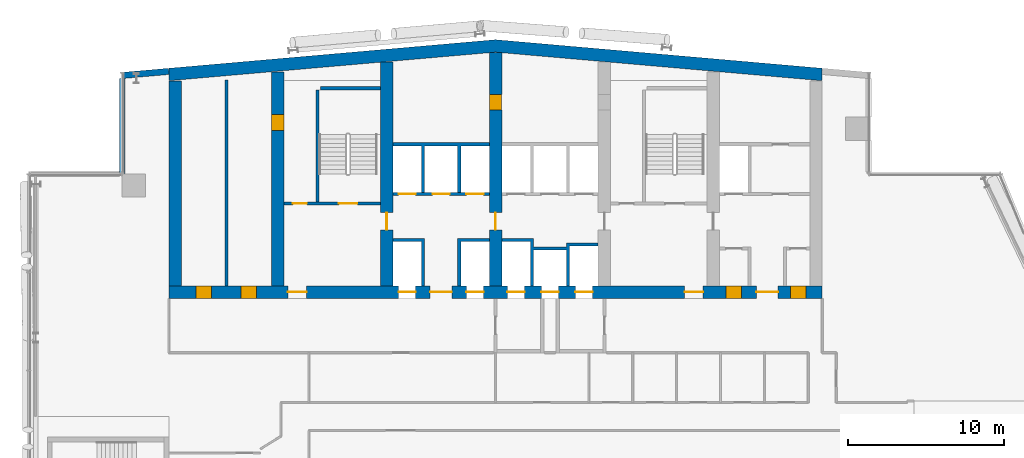
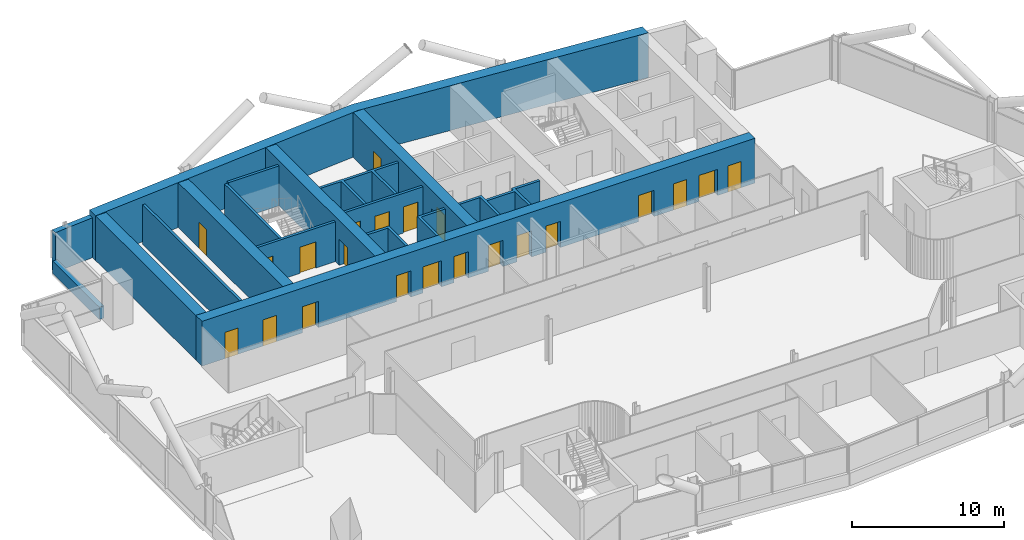
# One storey, part 20 of 29: 22 doors, 17 walls, 22 openings.
"""IFC4 building model written with IfcOpenShell, lengths in metres."""

from ifc_helpers import new_model, si_unit, direction, frame, frame_2d, origin, place, context, subcontext, project, spatial, polyline, rectangle, outline, extrude, material, layer, layer_set, type_object, element, fill, save


model = new_model("IFC4")

# Units and contexts
model_context = context("Model", 3, precision=1e-05, world=origin(), true_north=direction((0.0, 1.0)))
body_context = subcontext(model_context, "Body", "Model", "MODEL_VIEW")
ifc_project = project(units=[si_unit("LENGTHUNIT", "METRE"), si_unit("AREAUNIT", "SQUARE_METRE"), si_unit("VOLUMEUNIT", "CUBIC_METRE"), si_unit("PLANEANGLEUNIT", "RADIAN"), si_unit("MASSUNIT", "GRAM", prefix="KILO")], contexts=[model_context])

# Site, building, storey
site_placement = place(None, origin())
site = spatial("IfcSite", under=ifc_project, at=site_placement, CompositionType="ELEMENT")
building_placement = place(site_placement, origin())
building = spatial("IfcBuilding", under=site, at=building_placement, Name="Wharfspan Tower", CompositionType="ELEMENT")
storey_placement = place(building_placement, frame((0.0, 0.0, 155.5)))
storey = spatial("IfcBuildingStorey", under=building, at=storey_placement, Name="L37", CompositionType="ELEMENT", Elevation=155.5)

# Walls
ifc_material_1 = material(Name="Calcium silicate masonry", Category="masonry")
ifc_layer_1 = layer(ifc_material_1, 0.199951)
ifc_layer_set_1 = layer_set([ifc_layer_1], Name="Calcium silicate masonry")
wall_type_1 = type_object("IfcWallType", Name="Core room wall 200", PredefinedType="PARTITIONING", material=ifc_layer_set_1)
wall_1_placement = place(storey_placement, frame((19.699951, 34.800049, 0.0), z_axis=(0.0, 0.0, 1.0), x_axis=(0.0, 1.0, 0.0)))
element("IfcWall", 1, at=wall_1_placement, inside=storey, type_object=wall_type_1, Name="sw:L37:RM1", PredefinedType="PARTITIONING", context=body_context, shape_type="SweptSolid", body=[
    extrude(rectangle(XDim=13.234131, YDim=0.199951, at=frame_2d((6.617188, 0.0))), origin(), (0.0, 0.0, 1.0), 3.199951),
])
ifc_material_2 = material(Name="Concrete C60/75", Category="concrete")
ifc_layer_2 = layer(ifc_material_2, 0.800049)
ifc_layer_set_2 = layer_set([ifc_layer_2], Name="Concrete C60/75")
wall_type_2 = type_object("IfcWallType", Name="Core wall 800 C60/75", PredefinedType="SHEAR", material=ifc_layer_set_2)
wall_2_placement = place(storey_placement, origin())
element("IfcWall", 2, at=wall_2_placement, inside=storey, type_object=wall_type_2, Name="Core rear wall L37", PredefinedType="SHEAR", context=body_context, shape_type="SweptSolid", body=[
    extrude(outline(polyline([(16.0, 47.984375), (37.0, 49.821533), (58.0, 47.984375), (58.0, 48.787354), (37.0, 50.624756), (16.0, 48.787354), (16.0, 47.984375)])), origin(), (0.0, 0.0, 1.0), 3.600098),
])

# Wall, openings, doors
wall_3_placement = place(storey_placement, frame((16.0, 34.399902, 0.0), z_axis=(0.0, 0.0, 1.0), x_axis=(1.0, 0.0, 0.0)))
wall_3 = element("IfcWall", 3, at=wall_3_placement, inside=storey, type_object=wall_type_2, Name="Core front wall L37", PredefinedType="SHEAR", context=body_context, shape_type="SweptSolid", body=[
    extrude(rectangle(XDim=42.0, YDim=0.800049, at=frame_2d((21.0, 0.0))), origin(), (0.0, 0.0, 1.0), 3.600098),
])
opening_1_placement = place(wall_3_placement, frame((1.75, 0.0, 0.0)))
opening_1 = element("IfcOpeningElement", 4, at=opening_1_placement, cuts=wall_3, Name="Opening CD37.11", PredefinedType="OPENING", context=body_context, shape_type="SweptSolid", body=[
    extrude(rectangle(XDim=1.0, YDim=2.100098, at=frame_2d((0.5, 1.050049))), frame((0.0, 0.409912, 0.0), z_axis=(0.0, -1.0, 0.0), x_axis=(1.0, 0.0, 0.0)), (0.0, 0.0, 1.0), 0.820068),
])
opening_2_placement = place(wall_3_placement, frame((4.649902, 0.0, 0.0)))
opening_2 = element("IfcOpeningElement", 5, at=opening_2_placement, cuts=wall_3, Name="Opening CD37.12", PredefinedType="OPENING", context=body_context, shape_type="SweptSolid", body=[
    extrude(rectangle(XDim=1.0, YDim=2.100098, at=frame_2d((0.5, 1.050049))), frame((0.0, 0.409912, 0.0), z_axis=(0.0, -1.0, 0.0), x_axis=(1.0, 0.0, 0.0)), (0.0, 0.0, 1.0), 0.820068),
])
opening_3_placement = place(wall_3_placement, frame((7.649902, 0.0, 0.0)))
opening_3 = element("IfcOpeningElement", 6, at=opening_3_placement, cuts=wall_3, Name="Opening SV2.L37", PredefinedType="OPENING", context=body_context, shape_type="SweptSolid", body=[
    extrude(rectangle(XDim=1.199951, YDim=2.100098, at=frame_2d((0.600098, 1.050049))), frame((0.0, 0.409912, 0.0), z_axis=(0.0, -1.0, 0.0), x_axis=(1.0, 0.0, 0.0)), (0.0, 0.0, 1.0), 0.820068),
])
opening_4_placement = place(wall_3_placement, frame((14.766602, 0.0, 0.0)))
opening_4 = element("IfcOpeningElement", 7, at=opening_4_placement, cuts=wall_3, Name="Opening LD.SL1.L37", PredefinedType="OPENING", context=body_context, shape_type="SweptSolid", body=[
    extrude(rectangle(XDim=1.100098, YDim=2.100098, at=frame_2d((0.550049, 1.050049))), frame((0.0, 0.409912, 0.0), z_axis=(0.0, -1.0, 0.0), x_axis=(1.0, 0.0, 0.0)), (0.0, 0.0, 1.0), 0.820068),
])
opening_5_placement = place(wall_3_placement, frame((19.133301, 0.0, 0.0)))
opening_5 = element("IfcOpeningElement", 8, at=opening_5_placement, cuts=wall_3, Name="Opening LD.SL2.L37", PredefinedType="OPENING", context=body_context, shape_type="SweptSolid", body=[
    extrude(rectangle(XDim=1.100098, YDim=2.100098, at=frame_2d((0.550049, 1.050049))), frame((0.0, 0.409912, 0.0), z_axis=(0.0, -1.0, 0.0), x_axis=(1.0, 0.0, 0.0)), (0.0, 0.0, 1.0), 0.820068),
])
opening_6_placement = place(wall_3_placement, frame((16.800049, 0.0, 0.0)))
opening_6 = element("IfcOpeningElement", 9, at=opening_6_placement, cuts=wall_3, Name="Opening HD37.3", PredefinedType="OPENING", context=body_context, shape_type="SweptSolid", body=[
    extrude(rectangle(XDim=1.399902, YDim=2.100098, at=frame_2d((0.699951, 1.050049))), frame((0.0, 0.409912, 0.0), z_axis=(0.0, -1.0, 0.0), x_axis=(1.0, 0.0, 0.0)), (0.0, 0.0, 1.0), 0.820068),
])
opening_7_placement = place(wall_3_placement, frame((21.766602, 0.0, 0.0)))
opening_7 = element("IfcOpeningElement", 10, at=opening_7_placement, cuts=wall_3, Name="Opening LD.FF1.L37", PredefinedType="OPENING", context=body_context, shape_type="SweptSolid", body=[
    extrude(rectangle(XDim=1.100098, YDim=2.100098, at=frame_2d((0.550049, 1.050049))), frame((0.0, 0.409912, 0.0), z_axis=(0.0, -1.0, 0.0), x_axis=(1.0, 0.0, 0.0)), (0.0, 0.0, 1.0), 0.820068),
])
opening_8_placement = place(wall_3_placement, frame((23.949951, 0.0, 0.0)))
opening_8 = element("IfcOpeningElement", 11, at=opening_8_placement, cuts=wall_3, Name="Opening LD.LB7.L37", PredefinedType="OPENING", context=body_context, shape_type="SweptSolid", body=[
    extrude(rectangle(XDim=1.100098, YDim=2.100098, at=frame_2d((0.550049, 1.050049))), frame((0.0, 0.409912, 0.0), z_axis=(0.0, -1.0, 0.0), x_axis=(1.0, 0.0, 0.0)), (0.0, 0.0, 1.0), 0.820068),
])
opening_9_placement = place(wall_3_placement, frame((26.133301, 0.0, 0.0)))
opening_9 = element("IfcOpeningElement", 12, at=opening_9_placement, cuts=wall_3, Name="Opening LD.FF2.L37", PredefinedType="OPENING", context=body_context, shape_type="SweptSolid", body=[
    extrude(rectangle(XDim=1.100098, YDim=2.100098, at=frame_2d((0.550049, 1.050049))), frame((0.0, 0.409912, 0.0), z_axis=(0.0, -1.0, 0.0), x_axis=(1.0, 0.0, 0.0)), (0.0, 0.0, 1.0), 0.820068),
])
opening_10_placement = place(wall_3_placement, frame((33.149902, 0.0, 0.0)))
opening_10 = element("IfcOpeningElement", 13, at=opening_10_placement, cuts=wall_3, Name="Opening SV5.L37", PredefinedType="OPENING", context=body_context, shape_type="SweptSolid", body=[
    extrude(rectangle(XDim=1.199951, YDim=2.100098, at=frame_2d((0.600098, 1.050049))), frame((0.0, 0.409912, 0.0), z_axis=(0.0, -1.0, 0.0), x_axis=(1.0, 0.0, 0.0)), (0.0, 0.0, 1.0), 0.820068),
])
opening_11_placement = place(wall_3_placement, frame((35.81665, 0.0, 0.0)))
opening_11 = element("IfcOpeningElement", 14, at=opening_11_placement, cuts=wall_3, Name="Opening CD37.6F1", PredefinedType="OPENING", context=body_context, shape_type="SweptSolid", body=[
    extrude(rectangle(XDim=1.0, YDim=2.100098, at=frame_2d((0.5, 1.050049))), frame((0.0, 0.409912, 0.0), z_axis=(0.0, -1.0, 0.0), x_axis=(1.0, 0.0, 0.0)), (0.0, 0.0, 1.0), 0.820068),
])
opening_12_placement = place(wall_3_placement, frame((39.949951, 0.0, 0.0)))
opening_12 = element("IfcOpeningElement", 15, at=opening_12_placement, cuts=wall_3, Name="Opening CD37.6F3", PredefinedType="OPENING", context=body_context, shape_type="SweptSolid", body=[
    extrude(rectangle(XDim=1.0, YDim=2.100098, at=frame_2d((0.5, 1.050049))), frame((0.0, 0.409912, 0.0), z_axis=(0.0, -1.0, 0.0), x_axis=(1.0, 0.0, 0.0)), (0.0, 0.0, 1.0), 0.820068),
])
opening_13_placement = place(wall_3_placement, frame((37.766602, 0.0, 0.0)))
opening_13 = element("IfcOpeningElement", 16, at=opening_13_placement, cuts=wall_3, Name="Opening HD37.6", PredefinedType="OPENING", context=body_context, shape_type="SweptSolid", body=[
    extrude(rectangle(XDim=1.399902, YDim=2.100098, at=frame_2d((0.699951, 1.050049))), frame((0.0, 0.409912, 0.0), z_axis=(0.0, -1.0, 0.0), x_axis=(1.0, 0.0, 0.0)), (0.0, 0.0, 1.0), 0.820068),
])
ifc_material_3 = material(Name="Steel door leaf", Category="steel")
door_type_1 = type_object("IfcDoorType", Name="Core room door 1000x2100", OperationType="SINGLE_SWING_LEFT", PredefinedType="DOOR", material=ifc_material_3)
door_1_placement = place(opening_1_placement, origin())
door_1 = element("IfcDoor", 17, at=door_1_placement, inside=storey, type_object=door_type_1, Name="d:L37:1:rf", OperationType="SINGLE_SWING_LEFT", OverallHeight=2.100098, OverallWidth=1.0, PredefinedType="DOOR", context=body_context, shape_type="SweptSolid", body=[
    extrude(rectangle(XDim=1.0, YDim=2.100098, at=frame_2d((0.5, 1.050049))), frame((0.0, 0.399902, 0.0), z_axis=(0.0, -1.0, 0.0), x_axis=(1.0, 0.0, 0.0)), (0.0, 0.0, 1.0), 0.799561),
])
fill(opening_1, door_1)
door_2_placement = place(opening_2_placement, origin())
door_2 = element("IfcDoor", 18, at=door_2_placement, inside=storey, type_object=door_type_1, Name="d:L37:1:rr", OperationType="SINGLE_SWING_RIGHT", OverallHeight=2.100098, OverallWidth=1.0, PredefinedType="DOOR", context=body_context, shape_type="SweptSolid", body=[
    extrude(rectangle(XDim=1.0, YDim=2.100098, at=frame_2d((0.5, 1.050049))), frame((0.0, 0.399902, 0.0), z_axis=(0.0, -1.0, 0.0), x_axis=(1.0, 0.0, 0.0)), (0.0, 0.0, 1.0), 0.799561),
])
fill(opening_2, door_2)
door_3_placement = place(opening_11_placement, origin())
door_3 = element("IfcDoor", 19, at=door_3_placement, inside=storey, type_object=door_type_1, Name="d:L37:6:fd6.1", OperationType="SINGLE_SWING_LEFT", OverallHeight=2.100098, OverallWidth=1.0, PredefinedType="DOOR", context=body_context, shape_type="SweptSolid", body=[
    extrude(rectangle(XDim=1.0, YDim=2.100098, at=frame_2d((0.5, 1.050049))), frame((0.0, 0.399902, 0.0), z_axis=(0.0, -1.0, 0.0), x_axis=(1.0, 0.0, 0.0)), (0.0, 0.0, 1.0), 0.799561),
])
fill(opening_11, door_3)
door_4_placement = place(opening_12_placement, origin())
door_4 = element("IfcDoor", 20, at=door_4_placement, inside=storey, type_object=door_type_1, Name="d:L37:6:fd6.3", OperationType="SINGLE_SWING_LEFT", OverallHeight=2.100098, OverallWidth=1.0, PredefinedType="DOOR", context=body_context, shape_type="SweptSolid", body=[
    extrude(rectangle(XDim=1.0, YDim=2.100098, at=frame_2d((0.5, 1.050049))), frame((0.0, 0.399902, 0.0), z_axis=(0.0, -1.0, 0.0), x_axis=(1.0, 0.0, 0.0)), (0.0, 0.0, 1.0), 0.799561),
])
fill(opening_12, door_4)
door_type_2 = type_object("IfcDoorType", Name="Hall entry door 1400x2100", OperationType="DOUBLE_DOOR_SINGLE_SWING", PredefinedType="DOOR", material=ifc_material_3)
door_5_placement = place(opening_6_placement, origin())
door_5 = element("IfcDoor", 21, at=door_5_placement, inside=storey, type_object=door_type_2, Name="d:L37:3:hd3", OperationType="DOUBLE_DOOR_SINGLE_SWING", OverallHeight=2.100098, OverallWidth=1.399902, PredefinedType="DOOR", context=body_context, shape_type="SweptSolid", body=[
    extrude(rectangle(XDim=1.399902, YDim=2.100098, at=frame_2d((0.699951, 1.050049))), frame((0.0, 0.024902, 0.0), z_axis=(0.0, -1.0, 0.0), x_axis=(1.0, 0.0, 0.0)), (0.0, 0.0, 1.0), 0.050049),
])
fill(opening_6, door_5)
door_6_placement = place(opening_13_placement, origin())
door_6 = element("IfcDoor", 22, at=door_6_placement, inside=storey, type_object=door_type_2, Name="d:L37:6:hd6", OperationType="DOUBLE_DOOR_SINGLE_SWING", OverallHeight=2.100098, OverallWidth=1.399902, PredefinedType="DOOR", context=body_context, shape_type="SweptSolid", body=[
    extrude(rectangle(XDim=1.399902, YDim=2.100098, at=frame_2d((0.699951, 1.050049))), frame((0.0, 0.024902, 0.0), z_axis=(0.0, -1.0, 0.0), x_axis=(1.0, 0.0, 0.0)), (0.0, 0.0, 1.0), 0.050049),
])
fill(opening_13, door_6)
ifc_material_4 = material(Name="Stainless steel", Category="steel")
door_type_3 = type_object("IfcDoorType", Name="Lift landing door 1100x2100", OperationType="DOUBLE_DOOR_SLIDING", PredefinedType="DOOR", material=ifc_material_4)
door_7_placement = place(opening_4_placement, origin())
door_7 = element("IfcDoor", 23, at=door_7_placement, inside=storey, type_object=door_type_3, Name="Landing door SL1 L37", OperationType="DOUBLE_DOOR_SLIDING", OverallHeight=2.100098, OverallWidth=1.100098, PredefinedType="DOOR", context=body_context, shape_type="SweptSolid", body=[
    extrude(rectangle(XDim=1.100098, YDim=2.100098, at=frame_2d((0.550049, 1.050049))), frame((0.0, 0.024902, 0.0), z_axis=(0.0, -1.0, 0.0), x_axis=(1.0, 0.0, 0.0)), (0.0, 0.0, 1.0), 0.050049),
])
fill(opening_4, door_7)
door_8_placement = place(opening_5_placement, origin())
door_8 = element("IfcDoor", 24, at=door_8_placement, inside=storey, type_object=door_type_3, Name="Landing door SL2 L37", OperationType="DOUBLE_DOOR_SLIDING", OverallHeight=2.100098, OverallWidth=1.100098, PredefinedType="DOOR", context=body_context, shape_type="SweptSolid", body=[
    extrude(rectangle(XDim=1.100098, YDim=2.100098, at=frame_2d((0.550049, 1.050049))), frame((0.0, 0.024902, 0.0), z_axis=(0.0, -1.0, 0.0), x_axis=(1.0, 0.0, 0.0)), (0.0, 0.0, 1.0), 0.050049),
])
fill(opening_5, door_8)
door_9_placement = place(opening_7_placement, origin())
door_9 = element("IfcDoor", 25, at=door_9_placement, inside=storey, type_object=door_type_3, Name="Landing door FF1 L37", OperationType="DOUBLE_DOOR_SLIDING", OverallHeight=2.100098, OverallWidth=1.100098, PredefinedType="DOOR", context=body_context, shape_type="SweptSolid", body=[
    extrude(rectangle(XDim=1.100098, YDim=2.100098, at=frame_2d((0.550049, 1.050049))), frame((0.0, 0.024902, 0.0), z_axis=(0.0, -1.0, 0.0), x_axis=(1.0, 0.0, 0.0)), (0.0, 0.0, 1.0), 0.050049),
])
fill(opening_7, door_9)
door_10_placement = place(opening_8_placement, origin())
door_10 = element("IfcDoor", 26, at=door_10_placement, inside=storey, type_object=door_type_3, Name="Landing door LB7 L37", OperationType="DOUBLE_DOOR_SLIDING", OverallHeight=2.100098, OverallWidth=1.100098, PredefinedType="DOOR", context=body_context, shape_type="SweptSolid", body=[
    extrude(rectangle(XDim=1.100098, YDim=2.100098, at=frame_2d((0.550049, 1.050049))), frame((0.0, 0.024902, 0.0), z_axis=(0.0, -1.0, 0.0), x_axis=(1.0, 0.0, 0.0)), (0.0, 0.0, 1.0), 0.050049),
])
fill(opening_8, door_10)
door_11_placement = place(opening_9_placement, origin())
door_11 = element("IfcDoor", 27, at=door_11_placement, inside=storey, type_object=door_type_3, Name="Landing door FF2 L37", OperationType="DOUBLE_DOOR_SLIDING", OverallHeight=2.100098, OverallWidth=1.100098, PredefinedType="DOOR", context=body_context, shape_type="SweptSolid", body=[
    extrude(rectangle(XDim=1.100098, YDim=2.100098, at=frame_2d((0.550049, 1.050049))), frame((0.0, 0.024902, 0.0), z_axis=(0.0, -1.0, 0.0), x_axis=(1.0, 0.0, 0.0)), (0.0, 0.0, 1.0), 0.050049),
])
fill(opening_9, door_11)
door_type_4 = type_object("IfcDoorType", Name="Stair door 1200x2100", OperationType="SINGLE_SWING_LEFT", PredefinedType="DOOR", material=ifc_material_3)
door_12_placement = place(opening_3_placement, origin())
door_12 = element("IfcDoor", 28, at=door_12_placement, inside=storey, type_object=door_type_4, Name="vd:L37:2", OperationType="SINGLE_SWING_LEFT", OverallHeight=2.100098, OverallWidth=1.199951, PredefinedType="DOOR", context=body_context, shape_type="SweptSolid", body=[
    extrude(rectangle(XDim=1.199951, YDim=2.100098, at=frame_2d((0.600098, 1.050049))), frame((0.0, 0.024902, 0.0), z_axis=(0.0, -1.0, 0.0), x_axis=(1.0, 0.0, 0.0)), (0.0, 0.0, 1.0), 0.050049),
])
fill(opening_3, door_12)
door_13_placement = place(opening_10_placement, origin())
door_13 = element("IfcDoor", 29, at=door_13_placement, inside=storey, type_object=door_type_4, Name="vd:L37:5", OperationType="SINGLE_SWING_LEFT", OverallHeight=2.100098, OverallWidth=1.199951, PredefinedType="DOOR", context=body_context, shape_type="SweptSolid", body=[
    extrude(rectangle(XDim=1.199951, YDim=2.100098, at=frame_2d((0.600098, 1.050049))), frame((0.0, 0.024902, 0.0), z_axis=(0.0, -1.0, 0.0), x_axis=(1.0, 0.0, 0.0)), (0.0, 0.0, 1.0), 0.050049),
])
fill(opening_10, door_13)

# Wall
wall_4_placement = place(storey_placement, frame((16.399902, 34.800049, 0.0), z_axis=(0.0, 0.0, 1.0), x_axis=(0.0, 1.0, 0.0)))
element("IfcWall", 30, at=wall_4_placement, inside=storey, type_object=wall_type_2, Name="Core cross wall EW0 L37", PredefinedType="SHEAR", context=body_context, shape_type="SweptSolid", body=[
    extrude(rectangle(XDim=13.184326, YDim=0.800049, at=frame_2d((6.592285, 0.0))), origin(), (0.0, 0.0, 1.0), 3.600098),
])

# Wall, opening, door
wall_5_placement = place(storey_placement, frame((23.0, 34.800049, 0.0), z_axis=(0.0, 0.0, 1.0), x_axis=(0.0, 1.0, 0.0)))
wall_5 = element("IfcWall", 31, at=wall_5_placement, inside=storey, type_object=wall_type_2, Name="Core cross wall X2 L37", PredefinedType="SHEAR", context=body_context, shape_type="SweptSolid", body=[
    extrude(rectangle(XDim=13.761719, YDim=0.800049, at=frame_2d((6.880859, 0.0))), origin(), (0.0, 0.0, 1.0), 3.600098),
])
opening_14_placement = place(wall_5_placement, frame((10.0, 0.0, 0.0)))
opening_14 = element("IfcOpeningElement", 32, at=opening_14_placement, cuts=wall_5, Name="Opening CR37.2", PredefinedType="OPENING", context=body_context, shape_type="SweptSolid", body=[
    extrude(rectangle(XDim=1.0, YDim=2.100098, at=frame_2d((0.5, 1.050049))), frame((0.0, 0.409912, 0.0), z_axis=(0.0, -1.0, 0.0), x_axis=(1.0, 0.0, 0.0)), (0.0, 0.0, 1.0), 0.820068),
])
door_14_placement = place(opening_14_placement, origin())
door_14 = element("IfcDoor", 33, at=door_14_placement, inside=storey, type_object=door_type_1, Name="xr:L37:2", OperationType="SINGLE_SWING_RIGHT", OverallHeight=2.100098, OverallWidth=1.0, PredefinedType="DOOR", context=body_context, shape_type="SweptSolid", body=[
    extrude(rectangle(XDim=1.0, YDim=2.100098, at=frame_2d((0.5, 1.050049))), frame((0.0, 0.399902, 0.0), z_axis=(0.0, -1.0, 0.0), x_axis=(1.0, 0.0, 0.0)), (0.0, 0.0, 1.0), 0.799561),
])
fill(opening_14, door_14)

wall_6_placement = place(storey_placement, frame((30.0, 34.800049, 0.0), z_axis=(0.0, 0.0, 1.0), x_axis=(0.0, 1.0, 0.0)))
wall_6 = element("IfcWall", 34, at=wall_6_placement, inside=storey, type_object=wall_type_2, Name="Core cross wall X3 L37", PredefinedType="SHEAR", context=body_context, shape_type="SweptSolid", body=[
    extrude(rectangle(XDim=14.374023, YDim=0.800049, at=frame_2d((7.187012, 0.0))), origin(), (0.0, 0.0, 1.0), 3.600098),
])
opening_15_placement = place(wall_6_placement, frame((3.600098, 0.0, 0.0)))
opening_15 = element("IfcOpeningElement", 35, at=opening_15_placement, cuts=wall_6, Name="Opening CC37.3", PredefinedType="OPENING", context=body_context, shape_type="SweptSolid", body=[
    extrude(rectangle(XDim=1.100098, YDim=2.100098, at=frame_2d((0.550049, 1.050049))), frame((0.0, 0.409912, 0.0), z_axis=(0.0, -1.0, 0.0), x_axis=(1.0, 0.0, 0.0)), (0.0, 0.0, 1.0), 0.820068),
])
door_type_5 = type_object("IfcDoorType", Name="Core corridor door 1100x2100", OperationType="SINGLE_SWING_LEFT", PredefinedType="DOOR", material=ifc_material_3)
door_15_placement = place(opening_15_placement, origin())
door_15 = element("IfcDoor", 36, at=door_15_placement, inside=storey, type_object=door_type_5, Name="xd:L37:3", OperationType="SINGLE_SWING_LEFT", OverallHeight=2.100098, OverallWidth=1.100098, PredefinedType="DOOR", context=body_context, shape_type="SweptSolid", body=[
    extrude(rectangle(XDim=1.100098, YDim=2.100098, at=frame_2d((0.550049, 1.050049))), frame((0.0, 0.024902, 0.0), z_axis=(0.0, -1.0, 0.0), x_axis=(1.0, 0.0, 0.0)), (0.0, 0.0, 1.0), 0.050049),
])
fill(opening_15, door_15)

# Wall, openings, doors
wall_7_placement = place(storey_placement, frame((37.0, 34.800049, 0.0), z_axis=(0.0, 0.0, 1.0), x_axis=(0.0, 1.0, 0.0)))
wall_7 = element("IfcWall", 37, at=wall_7_placement, inside=storey, type_object=wall_type_2, Name="Core cross wall X4 L37", PredefinedType="SHEAR", context=body_context, shape_type="SweptSolid", body=[
    extrude(rectangle(XDim=14.986572, YDim=0.800049, at=frame_2d((7.493164, 0.0))), origin(), (0.0, 0.0, 1.0), 3.600098),
])
opening_16_placement = place(wall_7_placement, frame((11.312012, 0.0, 0.0)))
opening_16 = element("IfcOpeningElement", 38, at=opening_16_placement, cuts=wall_7, Name="Opening CD37.3X", PredefinedType="OPENING", context=body_context, shape_type="SweptSolid", body=[
    extrude(rectangle(XDim=1.0, YDim=2.100098, at=frame_2d((0.5, 1.050049))), frame((0.0, 0.409912, 0.0), z_axis=(0.0, -1.0, 0.0), x_axis=(1.0, 0.0, 0.0)), (0.0, 0.0, 1.0), 0.820068),
])
opening_17_placement = place(wall_7_placement, frame((3.600098, 0.0, 0.0)))
opening_17 = element("IfcOpeningElement", 39, at=opening_17_placement, cuts=wall_7, Name="Opening CC37.4", PredefinedType="OPENING", context=body_context, shape_type="SweptSolid", body=[
    extrude(rectangle(XDim=1.100098, YDim=2.100098, at=frame_2d((0.550049, 1.050049))), frame((0.0, 0.409912, 0.0), z_axis=(0.0, -1.0, 0.0), x_axis=(1.0, 0.0, 0.0)), (0.0, 0.0, 1.0), 0.820068),
])
door_16_placement = place(opening_17_placement, origin())
door_16 = element("IfcDoor", 40, at=door_16_placement, inside=storey, type_object=door_type_5, Name="xd:L37:4", OperationType="SINGLE_SWING_RIGHT", OverallHeight=2.100098, OverallWidth=1.100098, PredefinedType="DOOR", context=body_context, shape_type="SweptSolid", body=[
    extrude(rectangle(XDim=1.100098, YDim=2.100098, at=frame_2d((0.550049, 1.050049))), frame((0.0, 0.024902, 0.0), z_axis=(0.0, -1.0, 0.0), x_axis=(1.0, 0.0, 0.0)), (0.0, 0.0, 1.0), 0.050049),
])
fill(opening_17, door_16)
door_17_placement = place(opening_16_placement, origin())
door_17 = element("IfcDoor", 41, at=door_17_placement, inside=storey, type_object=door_type_1, Name="d:L37:3:sx", OperationType="SINGLE_SWING_LEFT", OverallHeight=2.100098, OverallWidth=1.0, PredefinedType="DOOR", context=body_context, shape_type="SweptSolid", body=[
    extrude(rectangle(XDim=1.0, YDim=2.100098, at=frame_2d((0.5, 1.050049))), frame((0.0, 0.399902, 0.0), z_axis=(0.0, -1.0, 0.0), x_axis=(1.0, 0.0, 0.0)), (0.0, 0.0, 1.0), 0.799561),
])
fill(opening_16, door_17)

ifc_material_5 = material(Name="Concrete C30/37", Category="concrete")
ifc_layer_3 = layer(ifc_material_5, 0.199951)
ifc_layer_set_3 = layer_set([ifc_layer_3], Name="Concrete C30/37")
wall_type_3 = type_object("IfcWallType", Name="Lift shaft wall 200", PredefinedType="PARTITIONING", material=ifc_layer_set_3)
wall_8_placement = place(storey_placement, frame((30.399902, 40.699951, 0.0), z_axis=(0.0, 0.0, 1.0), x_axis=(1.0, 0.0, 0.0)))
wall_8 = element("IfcWall", 42, at=wall_8_placement, inside=storey, type_object=wall_type_3, Name="sw:L37:RF3", PredefinedType="PARTITIONING", context=body_context, shape_type="SweptSolid", body=[
    extrude(rectangle(XDim=6.200195, YDim=0.199951, at=frame_2d((3.100098, 0.0))), origin(), (0.0, 0.0, 1.0), 3.199951),
])
opening_18_placement = place(wall_8_placement, frame((0.366699, 0.0, 0.0)))
opening_18 = element("IfcOpeningElement", 43, at=opening_18_placement, cuts=wall_8, Name="Opening LD.LB1.L37", PredefinedType="OPENING", context=body_context, shape_type="SweptSolid", body=[
    extrude(rectangle(XDim=1.100098, YDim=2.100098, at=frame_2d((0.550049, 1.050049))), frame((0.0, 0.109863, 0.0), z_axis=(0.0, -1.0, 0.0), x_axis=(1.0, 0.0, 0.0)), (0.0, 0.0, 1.0), 0.219971),
])
opening_19_placement = place(wall_8_placement, frame((2.550049, 0.0, 0.0)))
opening_19 = element("IfcOpeningElement", 44, at=opening_19_placement, cuts=wall_8, Name="Opening LD.LB2.L37", PredefinedType="OPENING", context=body_context, shape_type="SweptSolid", body=[
    extrude(rectangle(XDim=1.100098, YDim=2.100098, at=frame_2d((0.550049, 1.050049))), frame((0.0, 0.109863, 0.0), z_axis=(0.0, -1.0, 0.0), x_axis=(1.0, 0.0, 0.0)), (0.0, 0.0, 1.0), 0.219971),
])
opening_20_placement = place(wall_8_placement, frame((4.733398, 0.0, 0.0)))
opening_20 = element("IfcOpeningElement", 45, at=opening_20_placement, cuts=wall_8, Name="Opening LD.LB3.L37", PredefinedType="OPENING", context=body_context, shape_type="SweptSolid", body=[
    extrude(rectangle(XDim=1.100098, YDim=2.100098, at=frame_2d((0.550049, 1.050049))), frame((0.0, 0.109863, 0.0), z_axis=(0.0, -1.0, 0.0), x_axis=(1.0, 0.0, 0.0)), (0.0, 0.0, 1.0), 0.219971),
])
door_18_placement = place(opening_18_placement, origin())
door_18 = element("IfcDoor", 46, at=door_18_placement, inside=storey, type_object=door_type_3, Name="Landing door LB1 L37", OperationType="DOUBLE_DOOR_SLIDING", OverallHeight=2.100098, OverallWidth=1.100098, PredefinedType="DOOR", context=body_context, shape_type="SweptSolid", body=[
    extrude(rectangle(XDim=1.100098, YDim=2.100098, at=frame_2d((0.550049, 1.050049))), frame((0.0, 0.024902, 0.0), z_axis=(0.0, -1.0, 0.0), x_axis=(1.0, 0.0, 0.0)), (0.0, 0.0, 1.0), 0.050049),
])
fill(opening_18, door_18)
door_19_placement = place(opening_19_placement, origin())
door_19 = element("IfcDoor", 47, at=door_19_placement, inside=storey, type_object=door_type_3, Name="Landing door LB2 L37", OperationType="DOUBLE_DOOR_SLIDING", OverallHeight=2.100098, OverallWidth=1.100098, PredefinedType="DOOR", context=body_context, shape_type="SweptSolid", body=[
    extrude(rectangle(XDim=1.100098, YDim=2.100098, at=frame_2d((0.550049, 1.050049))), frame((0.0, 0.024902, 0.0), z_axis=(0.0, -1.0, 0.0), x_axis=(1.0, 0.0, 0.0)), (0.0, 0.0, 1.0), 0.050049),
])
fill(opening_19, door_19)
door_20_placement = place(opening_20_placement, origin())
door_20 = element("IfcDoor", 48, at=door_20_placement, inside=storey, type_object=door_type_3, Name="Landing door LB3 L37", OperationType="DOUBLE_DOOR_SLIDING", OverallHeight=2.100098, OverallWidth=1.100098, PredefinedType="DOOR", context=body_context, shape_type="SweptSolid", body=[
    extrude(rectangle(XDim=1.100098, YDim=2.100098, at=frame_2d((0.550049, 1.050049))), frame((0.0, 0.024902, 0.0), z_axis=(0.0, -1.0, 0.0), x_axis=(1.0, 0.0, 0.0)), (0.0, 0.0, 1.0), 0.050049),
])
fill(opening_20, door_20)

# Walls
wall_9_placement = place(storey_placement, frame((0.0, 0.0, -0.000244)))
element("IfcWall", 49, at=wall_9_placement, inside=storey, type_object=wall_type_3, Name="sw:L37:FM3.0", PredefinedType="PARTITIONING", context=body_context, shape_type="SweptSolid", body=[
    extrude(outline(polyline([(32.233398, 37.649902), (30.399902, 37.649902), (30.399902, 37.850098), (32.233398, 37.850098), (32.43335, 37.850098), (32.43335, 34.800049), (32.233398, 34.800049), (32.233398, 37.649902)])), origin(), (0.0, 0.0, 1.0), 3.200195),
])
wall_10_placement = place(storey_placement, frame((0.0, 0.0, -0.000244)))
element("IfcWall", 50, at=wall_10_placement, inside=storey, type_object=wall_type_3, Name="sw:L37:FM3.1", PredefinedType="PARTITIONING", context=body_context, shape_type="SweptSolid", body=[
    extrude(outline(polyline([(34.56665, 37.850098), (34.766602, 37.850098), (36.600098, 37.850098), (36.600098, 37.649902), (34.766602, 37.649902), (34.766602, 34.800049), (34.56665, 34.800049), (34.56665, 37.850098)])), origin(), (0.0, 0.0, 1.0), 3.200195),
])
wall_11_placement = place(storey_placement, frame((0.0, 0.0, -0.000244)))
element("IfcWall", 51, at=wall_11_placement, inside=storey, type_object=wall_type_3, Name="sw:L37:RM3.0", PredefinedType="PARTITIONING", context=body_context, shape_type="SweptSolid", body=[
    extrude(outline(polyline([(32.43335, 40.800049), (32.233398, 40.800049), (32.233398, 43.800049), (30.399902, 43.800049), (30.399902, 44.0), (36.600098, 44.0), (36.600098, 43.800049), (34.766602, 43.800049), (34.766602, 40.800049), (34.56665, 40.800049), (34.56665, 43.800049), (32.43335, 43.800049), (32.43335, 40.800049)])), origin(), (0.0, 0.0, 1.0), 3.200195),
])
wall_12_placement = place(storey_placement, frame((0.0, 0.0, -0.000244)))
element("IfcWall", 52, at=wall_12_placement, inside=storey, type_object=wall_type_3, Name="sw:L37:FM4.0", PredefinedType="PARTITIONING", context=body_context, shape_type="SweptSolid", body=[
    extrude(outline(polyline([(41.56665, 37.100098), (39.43335, 37.100098), (39.43335, 34.800049), (39.233398, 34.800049), (39.233398, 37.649902), (37.399902, 37.649902), (37.399902, 37.850098), (39.233398, 37.850098), (39.43335, 37.850098), (39.43335, 37.300049), (41.56665, 37.300049), (41.56665, 37.550049), (41.766602, 37.550049), (43.600098, 37.550049), (43.600098, 37.350098), (41.766602, 37.350098), (41.766602, 34.800049), (41.56665, 34.800049), (41.56665, 37.100098)])), origin(), (0.0, 0.0, 1.0), 3.200195),
])
ifc_material_6 = material(Name="Concrete C40/50", Category="concrete")
ifc_layer_4 = layer(ifc_material_6, 0.350098)
ifc_layer_set_4 = layer_set([ifc_layer_4], Name="Concrete C40/50")
wall_type_4 = type_object("IfcWallType", Name="SPANDREL EXPOSED CONCRETE 350", PredefinedType="SOLIDWALL", material=ifc_layer_set_4)
wall_13_placement = place(storey_placement, frame((12.995117, 48.126465, 0.0), z_axis=(0.0, 0.0, 1.0), x_axis=(0.0, -1.0, 0.0)))
element("IfcWall", 53, at=wall_13_placement, inside=storey, type_object=wall_type_4, Name="Spandrel upstand L37 NRW-V", PredefinedType="SOLIDWALL", context=body_context, shape_type="SweptSolid", body=[
    extrude(rectangle(XDim=6.126465, YDim=0.350098, at=frame_2d((3.063232, 0.0))), origin(), (0.0, 0.0, 1.0), 1.0),
])

# Wall, openings, doors
ifc_layer_5 = layer(ifc_material_6, 0.199951)
ifc_layer_set_5 = layer_set([ifc_layer_5], Name="Concrete C40/50")
wall_type_5 = type_object("IfcWallType", Name="Stair shaft wall 200", PredefinedType="SHEAR", material=ifc_layer_set_5)
wall_14_placement = place(storey_placement, frame((23.399902, 40.100098, 0.0), z_axis=(0.0, 0.0, 1.0), x_axis=(1.0, 0.0, 0.0)))
wall_14 = element("IfcWall", 54, at=wall_14_placement, inside=storey, type_object=wall_type_5, Name="ST1 stair enclosure wall L37", PredefinedType="SHEAR", context=body_context, shape_type="SweptSolid", body=[
    extrude(rectangle(XDim=6.200195, YDim=0.199951, at=frame_2d((3.100098, 0.0))), origin(), (0.0, 0.0, 1.0), 3.199951),
])
opening_21_placement = place(wall_14_placement, frame((3.524902, 0.0, 0.0)))
opening_21 = element("IfcOpeningElement", 55, at=opening_21_placement, cuts=wall_14, Name="Opening SD2.L37", PredefinedType="OPENING", context=body_context, shape_type="SweptSolid", body=[
    extrude(rectangle(XDim=1.199951, YDim=2.100098, at=frame_2d((0.600098, 1.050049))), frame((0.0, 0.109863, 0.0), z_axis=(0.0, -1.0, 0.0), x_axis=(1.0, 0.0, 0.0)), (0.0, 0.0, 1.0), 0.219971),
])
opening_22_placement = place(wall_14_placement, frame((0.574951, 0.0, 0.0)))
opening_22 = element("IfcOpeningElement", 56, at=opening_22_placement, cuts=wall_14, Name="Opening CD37.2R", PredefinedType="OPENING", context=body_context, shape_type="SweptSolid", body=[
    extrude(rectangle(XDim=0.899902, YDim=2.100098, at=frame_2d((0.449951, 1.050049))), frame((0.0, 0.109863, 0.0), z_axis=(0.0, -1.0, 0.0), x_axis=(1.0, 0.0, 0.0)), (0.0, 0.0, 1.0), 0.219971),
])
door_21_placement = place(opening_22_placement, origin())
door_21 = element("IfcDoor", 57, at=door_21_placement, inside=storey, type_object=door_type_1, Name="rk:L37:2", OperationType="SINGLE_SWING_LEFT", OverallHeight=2.100098, OverallWidth=0.899902, PredefinedType="DOOR", context=body_context, shape_type="SweptSolid", body=[
    extrude(rectangle(XDim=0.899902, YDim=2.100098, at=frame_2d((0.449951, 1.050049))), frame((0.0, 0.024902, 0.0), z_axis=(0.0, -1.0, 0.0), x_axis=(1.0, 0.0, 0.0)), (0.0, 0.0, 1.0), 0.050049),
])
fill(opening_22, door_21)
door_22_placement = place(opening_21_placement, origin())
door_22 = element("IfcDoor", 58, at=door_22_placement, inside=storey, type_object=door_type_4, Name="sd:L37:2", OperationType="SINGLE_SWING_RIGHT", OverallHeight=2.100098, OverallWidth=1.199951, PredefinedType="DOOR", context=body_context, shape_type="SweptSolid", body=[
    extrude(rectangle(XDim=1.199951, YDim=2.100098, at=frame_2d((0.600098, 1.050049))), frame((0.0, 0.024902, 0.0), z_axis=(0.0, -1.0, 0.0), x_axis=(1.0, 0.0, 0.0)), (0.0, 0.0, 1.0), 0.050049),
])
fill(opening_21, door_22)

# Walls
wall_15_placement = place(storey_placement, frame((25.550049, 40.199951, 0.0), z_axis=(0.0, 0.0, 1.0), x_axis=(0.0, 1.0, 0.0)))
element("IfcWall", 59, at=wall_15_placement, inside=storey, type_object=wall_type_5, Name="ST1 stair enclosure wall L37", PredefinedType="SHEAR", context=body_context, shape_type="SweptSolid", body=[
    extrude(rectangle(XDim=7.199951, YDim=0.199951, at=frame_2d((3.600098, 0.0))), origin(), (0.0, 0.0, 1.0), 3.199951),
])
wall_16_placement = place(storey_placement, frame((25.75, 47.5, 0.0), z_axis=(0.0, 0.0, 1.0), x_axis=(1.0, 0.0, 0.0)))
element("IfcWall", 60, at=wall_16_placement, inside=storey, type_object=wall_type_5, Name="ST1 stair enclosure wall L37", PredefinedType="SHEAR", context=body_context, shape_type="SweptSolid", body=[
    extrude(rectangle(XDim=3.850098, YDim=0.199951, at=frame_2d((1.925049, 0.0))), origin(), (0.0, 0.0, 1.0), 3.199951),
])
ifc_layer_6 = layer(ifc_material_6, 0.399902)
ifc_layer_set_6 = layer_set([ifc_layer_6], Name="Concrete C40/50")
wall_type_6 = type_object("IfcWallType", Name="WALL EXPOSED CONCRETE 400", PredefinedType="SOLIDWALL", material=ifc_layer_set_6)
wall_17_placement = place(storey_placement, frame((16.0, 48.58667, 0.0), z_axis=(0.0, 0.0, 1.0), x_axis=(-0.996194, -0.087168, 0.0)))
element("IfcWall", 61, at=wall_17_placement, inside=storey, type_object=wall_type_6, Name="Rear wall N1", PredefinedType="SOLIDWALL", context=body_context, shape_type="SweptSolid", body=[
    extrude(rectangle(XDim=2.994141, YDim=0.399902, at=frame_2d((1.49707, 0.0))), origin(), (0.0, 0.0, 1.0), 3.199951),
])

save(model, "model.ifc")
